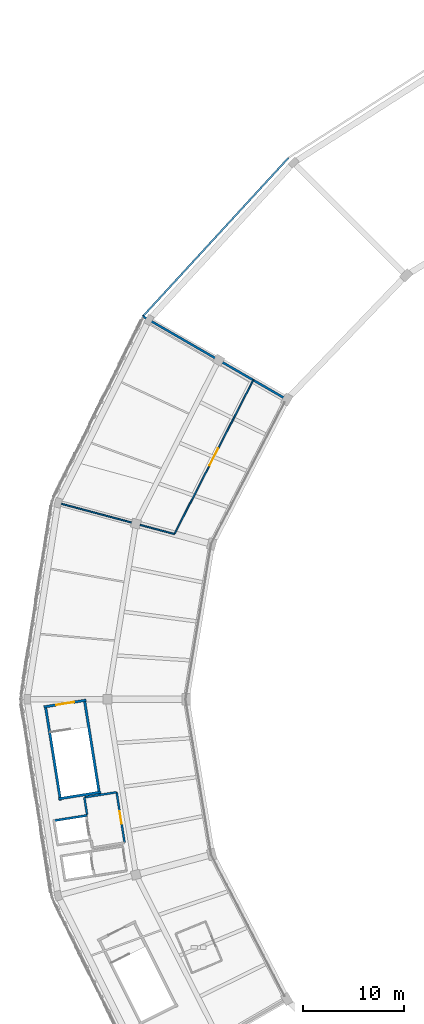
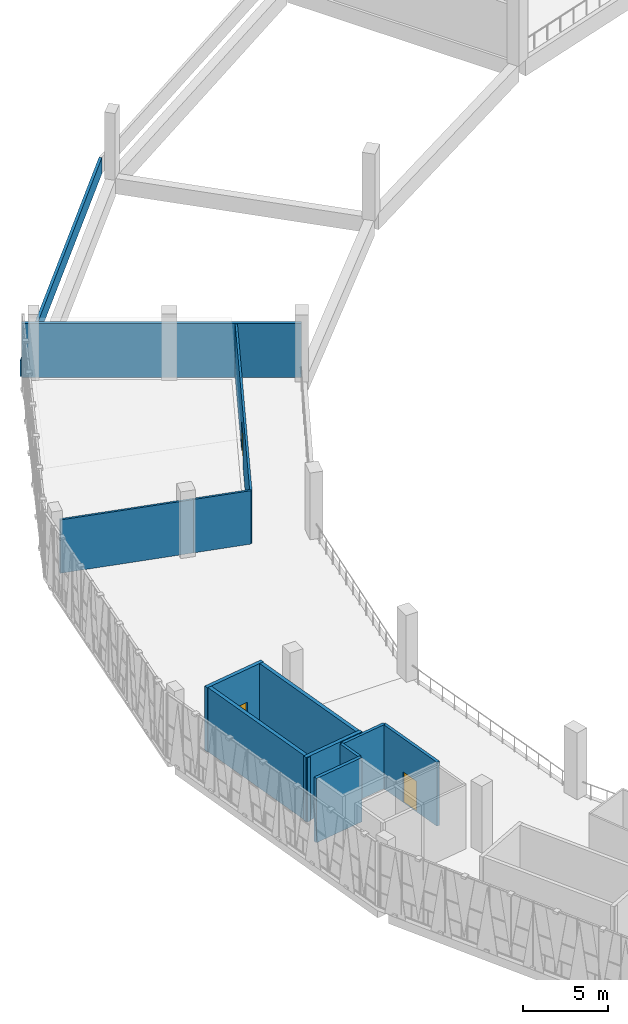
# One storey, part 45 of 64: 13 walls, 3 doors, 3 openings.
"""IFC4 building model written with IfcOpenShell, lengths in metres."""

from ifc_helpers import new_model, si_unit, direction, frame, frame_2d, origin, place, context, subcontext, project, spatial, rectangle, extrude, material, layer, layer_set, type_object, element, fill, save


model = new_model("IFC4")

# Units and contexts
model_context = context("Model", 3, precision=1e-05, world=origin(), true_north=direction((0.0, 1.0)))
body_context = subcontext(model_context, "Body", "Model", "MODEL_VIEW")
ifc_project = project(units=[si_unit("LENGTHUNIT", "METRE"), si_unit("AREAUNIT", "SQUARE_METRE"), si_unit("VOLUMEUNIT", "CUBIC_METRE"), si_unit("PLANEANGLEUNIT", "RADIAN"), si_unit("MASSUNIT", "GRAM", prefix="KILO")], contexts=[model_context])

# Site, building, storey
site_placement = place(None, origin())
site = spatial("IfcSite", under=ifc_project, at=site_placement, CompositionType="ELEMENT")
building_placement = place(site_placement, origin())
building = spatial("IfcBuilding", under=site, at=building_placement, Name="Zevraka Park Crest Stadium", CompositionType="ELEMENT")
storey_placement = place(building_placement, frame((0.0, 0.0, 24.60009765625)))
storey = spatial("IfcBuildingStorey", under=building, at=storey_placement, Name="L05", CompositionType="ELEMENT", Elevation=24.60009765625)

# Walls
ifc_material_1 = material(Name="Autoclaved aerated masonry blockwork", Category="masonry")
ifc_layer_1 = layer(ifc_material_1, 0.199951171875)
ifc_layer_set_1 = layer_set([ifc_layer_1], Name="Autoclaved aerated masonry blockwork")
wall_type_1 = type_object("IfcWallType", Name="IW01", PredefinedType="PARTITIONING", material=ifc_layer_set_1)
wall_1_placement = place(storey_placement, frame((27.656982421875, 80.56396484375, 0.0), z_axis=(0.0, 0.0, 1.0), x_axis=(-0.156960903537, 0.987604817101, 0.0)))
element("IfcWall", 1, at=wall_1_placement, inside=storey, type_object=wall_type_1, Name="Firefighting Lift Lobby Wall IW01 FL03 L05 BACKR", PredefinedType="PARTITIONING", context=body_context, shape_type="SweptSolid", body=[
    extrude(rectangle(XDim=1.72021484375, YDim=0.199951171875, at=frame_2d((0.860107421875, 0.0))), origin(), (0.0, 0.0, 1.0), 4.599853515625),
])
wall_2_placement = place(storey_placement, frame((27.386962890625, 82.262939453125, 0.0), z_axis=(0.0, 0.0, 1.0), x_axis=(0.987629416648, 0.156806043797, 0.0)))
element("IfcWall", 2, at=wall_2_placement, inside=storey, type_object=wall_type_1, Name="Firefighting Lift Lobby Wall IW01 FL03 L05 RIGHT", PredefinedType="PARTITIONING", context=body_context, shape_type="SweptSolid", body=[
    extrude(rectangle(XDim=3.239990234375, YDim=0.199951171875, at=frame_2d((1.6201171875, 0.0))), origin(), (0.0, 0.0, 1.0), 4.599853515625),
])

# Wall, opening, door
wall_3_placement = place(storey_placement, frame((31.382080078125, 77.763916015625, 0.0), z_axis=(0.0, 0.0, 1.0), x_axis=(-0.156842848291, 0.987623572491, 0.0)))
wall_3 = element("IfcWall", 3, at=wall_3_placement, inside=storey, type_object=wall_type_1, Name="Firefighting Lift Lobby Wall IW01 FL03 L05 FRONT", PredefinedType="PARTITIONING", context=body_context, shape_type="SweptSolid", body=[
    extrude(rectangle(XDim=5.06982421875, YDim=0.199951171875, at=frame_2d((2.534912109375, 0.0))), origin(), (0.0, 0.0, 1.0), 4.599853515625),
])
opening_1_placement = place(wall_3_placement, frame((1.909912109375, 0.0, 0.0)))
opening_1 = element("IfcOpeningElement", 4, at=opening_1_placement, cuts=wall_3, Name="Opening D-L05-312", PredefinedType="OPENING", context=body_context, shape_type="SweptSolid", body=[
    extrude(rectangle(XDim=1.25, YDim=2.199951171875, at=frame_2d((0.625, 1.10009765625))), frame((0.0, 0.10986328125, 0.0), z_axis=(0.0, -1.0, 0.0), x_axis=(1.0, 0.0, 0.0)), (0.0, 0.0, 1.0), 0.219970703125),
])
ifc_material_2 = material(Name="Solid-core hardwood timber leaf in steel frame", Category="steel")
door_type_1 = type_object("IfcDoorType", Name="DR07", OperationType="NOTDEFINED", PredefinedType="DOOR", material=ifc_material_2)
door_1_placement = place(opening_1_placement, origin())
door_1 = element("IfcDoor", 5, at=door_1_placement, inside=storey, type_object=door_type_1, Name="Firefighting Lift Lobby FL03 Door D-L05-312", OperationType="SINGLE_SWING_RIGHT", OverallHeight=2.199951171875, OverallWidth=1.25, PredefinedType="DOOR", context=body_context, shape_type="SweptSolid", body=[
    extrude(rectangle(XDim=1.25, YDim=2.199951171875, at=frame_2d((0.625, 1.10009765625))), frame((0.0, 0.02490234375, 0.0), z_axis=(0.0, -1.0, 0.0), x_axis=(1.0, 0.0, 0.0)), (0.0, 0.0, 1.0), 0.050048828125),
])
fill(opening_1, door_1)

ifc_material_3 = material(Name="Fire-rated twin-stud acoustic drywall", Category="other")
ifc_layer_2 = layer(ifc_material_3, 0.139892578125)
ifc_layer_set_2 = layer_set([ifc_layer_2], Name="Fire-rated twin-stud acoustic drywall")
wall_type_2 = type_object("IfcWallType", Name="IW03", PredefinedType="PARTITIONING", material=ifc_layer_set_2)
wall_4_placement = place(storey_placement, frame((44.14697265625, 123.675048828125, 0.0), z_axis=(0.0, 0.0, 1.0), x_axis=(-0.455924229974, -0.890018593358, 0.0)))
wall_4 = element("IfcWall", 6, at=wall_4_placement, inside=storey, type_object=wall_type_2, Name="Interior Partition IW03 Press Writing Hall L05", PredefinedType="PARTITIONING", context=body_context, shape_type="SweptSolid", body=[
    extrude(rectangle(XDim=17.167236328125, YDim=0.139892578125, at=frame_2d((8.58349609375, 0.0))), origin(), (0.0, 0.0, 1.0), 3.83984375),
])
opening_2_placement = place(wall_4_placement, frame((7.634033203125, 0.0, 0.0)))
opening_2 = element("IfcOpeningElement", 7, at=opening_2_placement, cuts=wall_4, Name="Opening D-L05-495", PredefinedType="OPENING", context=body_context, shape_type="SweptSolid", body=[
    extrude(rectangle(XDim=1.89990234375, YDim=2.25, at=frame_2d((0.949951171875, 1.125))), frame((0.0, 0.079833984375, 0.0), z_axis=(0.0, -1.0, 0.0), x_axis=(1.0, 0.0, 0.0)), (0.0, 0.0, 1.0), 0.159912109375),
])
ifc_material_4 = material(Name="Solid-core hardwood timber leaf in steel frame", Category="steel")
door_type_2 = type_object("IfcDoorType", Name="DR15", OperationType="NOTDEFINED", PredefinedType="DOOR", material=ifc_material_4)
door_2_placement = place(opening_2_placement, origin())
door_2 = element("IfcDoor", 8, at=door_2_placement, inside=storey, type_object=door_type_2, Name="Press Writing Hall Door D-L05-495", OperationType="DOUBLE_DOOR_SINGLE_SWING", OverallHeight=2.25, OverallWidth=1.89990234375, PredefinedType="DOOR", context=body_context, shape_type="SweptSolid", body=[
    extrude(rectangle(XDim=1.89990234375, YDim=2.25, at=frame_2d((0.949951171875, 1.125))), frame((0.0, 0.02490234375, 0.0), z_axis=(0.0, -1.0, 0.0), x_axis=(1.0, 0.0, 0.0)), (0.0, 0.0, 1.0), 0.050048828125),
])
fill(opening_2, door_2)

# Walls
wall_5_placement = place(storey_placement, frame((36.320068359375, 108.39599609375, 0.0), z_axis=(0.0, 0.0, 1.0), x_axis=(-0.965928834191, 0.258807819197, 0.0)))
element("IfcWall", 9, at=wall_5_placement, inside=storey, type_object=wall_type_2, Name="Interior Partition IW03 Press Writing Hall L05", PredefinedType="PARTITIONING", context=body_context, shape_type="SweptSolid", body=[
    extrude(rectangle(XDim=3.515869140625, YDim=0.139892578125, at=frame_2d((1.7578125, 0.0))), origin(), (0.0, 0.0, 1.0), 3.83984375),
])
wall_6_placement = place(storey_placement, frame((32.93798828125, 109.302001953125, 0.0), z_axis=(0.0, 0.0, 1.0), x_axis=(-0.965916586161, 0.258853527267, 0.0)))
element("IfcWall", 10, at=wall_6_placement, inside=storey, type_object=wall_type_2, Name="Interior Partition IW03 Press Writing Hall L05", PredefinedType="PARTITIONING", context=body_context, shape_type="SweptSolid", body=[
    extrude(rectangle(XDim=8.139404296875, YDim=0.139892578125, at=frame_2d((4.06982421875, 0.0))), origin(), (0.0, 0.0, 1.0), 3.83984375),
])
ifc_material_5 = material(Name="Precast concrete C40/50", Category="concrete")
ifc_layer_3 = layer(ifc_material_5, 0.219970703125)
ifc_layer_set_3 = layer_set([ifc_layer_3], Name="Precast concrete C40/50")
wall_type_3 = type_object("IfcWallType", Name="PW01", PredefinedType="PARAPET", material=ifc_layer_set_3)
wall_7_placement = place(storey_placement, frame((47.48095703125, 121.75, 0.0), z_axis=(0.0, 0.0, 1.0), x_axis=(-0.866019999656, 0.500009360108, 0.0)))
element("IfcWall", 11, at=wall_7_placement, inside=storey, type_object=wall_type_3, Name="Crown Tribune End Closure Wall PW01 10", PredefinedType="PARAPET", context=body_context, shape_type="SweptSolid", body=[
    extrude(rectangle(XDim=16.499755859375, YDim=0.219970703125, at=frame_2d((8.25, 0.0))), origin(), (0.0, 0.0, 1.0), 3.889892578125),
])
ifc_material_6 = material(Name="Precast concrete C40/50", Category="concrete")
ifc_layer_4 = layer(ifc_material_6, 0.179931640625)
ifc_layer_set_4 = layer_set([ifc_layer_4], Name="Precast concrete C40/50")
wall_type_4 = type_object("IfcWallType", Name="PW02", PredefinedType="PARAPET", material=ifc_layer_set_4)
wall_8_placement = place(storey_placement, frame((47.653076171875, 145.739990234375, 0.0), z_axis=(0.0, 0.0, 1.0), x_axis=(-0.676559509476, -0.736387961701, 0.0)))
element("IfcWall", 12, at=wall_8_placement, inside=storey, type_object=wall_type_4, Name="Setback Roof Parapet Wall PW02 09", PredefinedType="PARAPET", context=body_context, shape_type="SweptSolid", body=[
    extrude(rectangle(XDim=21.37451171875, YDim=0.179931640625, at=frame_2d((10.687255859375, 0.0))), origin(), (0.0, 0.0, 1.0), 1.14990234375),
])
ifc_material_7 = material(Name="Concrete C40/50", Category="concrete")
ifc_layer_5 = layer(ifc_material_7, 0.25)
ifc_layer_set_5 = layer_set([ifc_layer_5], Name="Concrete C40/50")
wall_type_5 = type_object("IfcWallType", Name="SW01", PredefinedType="SHEAR", material=ifc_layer_set_5)
for number, where, z_axis, x_axis, name in (
    (13, (23.513671875, 91.388427734375, 0.0), (0.0, 0.0, 1.0), (0.157268610044, -0.987555863886, 0.0), "Stair Core Shear Wall SW01 ST13 L05 left"),
    (14, (28.88671875, 82.573486328125, 0.0), (0.0, 0.0, 1.0), (-0.157243678356, 0.987559833943, 0.0), "Stair Core Shear Wall SW01 ST13 L05 right"),
):
    element("IfcWall", number, at=place(storey_placement, frame(where, z_axis=z_axis, x_axis=x_axis)), inside=storey, type_object=wall_type_5, Name=name, PredefinedType="SHEAR", context=body_context, shape_type="SweptSolid", body=[
        extrude(rectangle(XDim=9.55029296875, YDim=0.25, at=frame_2d((4.775146484375, 0.0))), origin(), (0.0, 0.0, 1.0), 4.619873046875),
    ])

# Wall, opening, door
wall_9_placement = place(storey_placement, frame((27.572509765625, 91.907958984375, 0.0), z_axis=(0.0, 0.0, 1.0), x_axis=(-0.987557660991, -0.157257324847, 0.0)))
wall_9 = element("IfcWall", 15, at=wall_9_placement, inside=storey, type_object=wall_type_5, Name="Stair Core Shear Wall SW01 ST13 L05 near", PredefinedType="SHEAR", context=body_context, shape_type="SweptSolid", body=[
    extrude(rectangle(XDim=4.260009765625, YDim=0.25, at=frame_2d((2.1298828125, 0.0))), origin(), (0.0, 0.0, 1.0), 4.619873046875),
])
opening_3_placement = place(wall_9_placement, frame((1.22998046875, 0.0, 0.0)))
opening_3 = element("IfcOpeningElement", 16, at=opening_3_placement, cuts=wall_9, Name="Opening D-L05-079", PredefinedType="OPENING", context=body_context, shape_type="SweptSolid", body=[
    extrude(rectangle(XDim=1.800048828125, YDim=2.25, at=frame_2d((0.89990234375, 1.125))), frame((0.0, 0.135009765625, 0.0), z_axis=(0.0, -1.0, 0.0), x_axis=(1.0, 0.0, 0.0)), (0.0, 0.0, 1.0), 0.27001953125),
])
ifc_material_8 = material(Name="Solid-core hardwood timber leaf in steel frame", Category="steel")
door_type_3 = type_object("IfcDoorType", Name="DR04", OperationType="NOTDEFINED", PredefinedType="DOOR", material=ifc_material_8)
door_3_placement = place(opening_3_placement, origin())
door_3 = element("IfcDoor", 17, at=door_3_placement, inside=storey, type_object=door_type_3, Name="Protected Stair Entry Door ST13 L05", OperationType="DOUBLE_DOOR_SINGLE_SWING", OverallHeight=2.25, OverallWidth=1.800048828125, PredefinedType="DOOR", context=body_context, shape_type="SweptSolid", body=[
    extrude(rectangle(XDim=1.800048828125, YDim=2.25, at=frame_2d((0.89990234375, 1.125))), frame((0.0, 0.02490234375, 0.0), z_axis=(0.0, -1.0, 0.0), x_axis=(1.0, 0.0, 0.0)), (0.0, 0.0, 1.0), 0.050048828125),
])
fill(opening_3, door_3)

# Walls
wall_10_placement = place(storey_placement, frame((24.818603515625, 82.113037109375, 0.0), z_axis=(0.0, 0.0, 1.0), x_axis=(0.987557660991, 0.157257324847, 0.0)))
element("IfcWall", 18, at=wall_10_placement, inside=storey, type_object=wall_type_5, Name="Stair Core Shear Wall SW01 ST13 L05 far", PredefinedType="SHEAR", context=body_context, shape_type="SweptSolid", body=[
    extrude(rectangle(XDim=4.260009765625, YDim=0.25, at=frame_2d((2.1298828125, 0.0))), origin(), (0.0, 0.0, 1.0), 4.619873046875),
])
ifc_material_9 = material(Name="Concrete C40/50", Category="concrete")
ifc_layer_6 = layer(ifc_material_9, 0.219970703125)
ifc_layer_set_6 = layer_set([ifc_layer_6], Name="Concrete C40/50")
wall_type_6 = type_object("IfcWallType", Name="SW02", PredefinedType="SHEAR", material=ifc_layer_set_6)
wall_11_placement = place(storey_placement, frame((27.6708984375, 80.47509765625, 0.0), z_axis=(0.0, 0.0, 1.0), x_axis=(-0.987692667337, -0.156407144619, 0.0)))
element("IfcWall", 19, at=wall_11_placement, inside=storey, type_object=wall_type_6, Name="Lift Shaft Shear Wall SW02 FL03 L05-4", PredefinedType="SHEAR", context=body_context, shape_type="SweptSolid", body=[
    extrude(rectangle(XDim=3.440185546875, YDim=0.219970703125, at=frame_2d((1.72021484375, 0.0))), origin(), (0.0, 0.0, 1.0), 4.619873046875),
])

save(model, "model.ifc")
